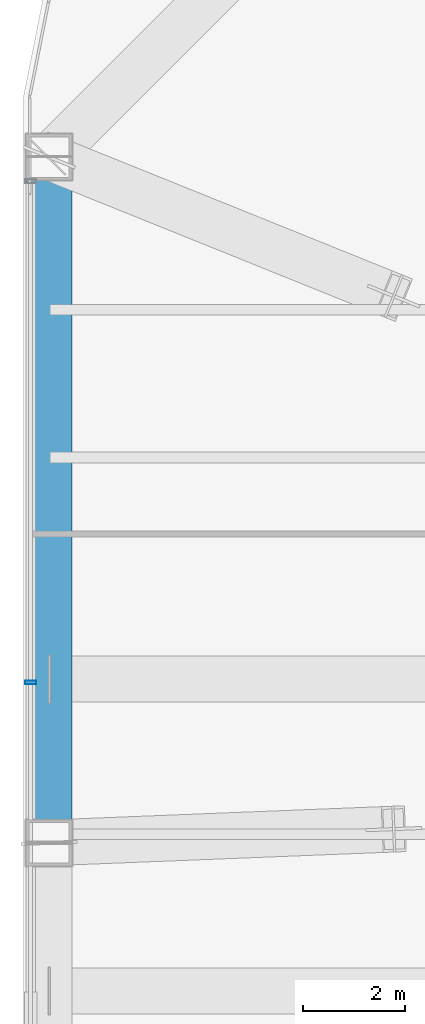
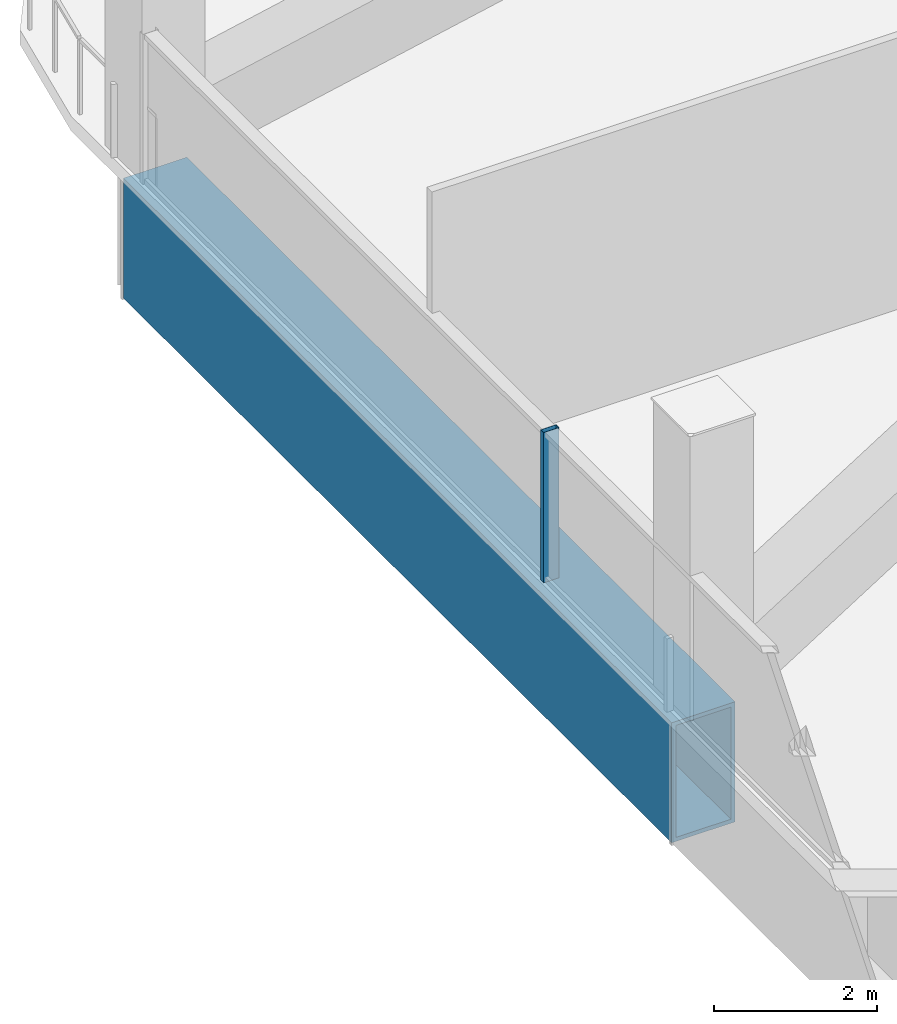
# One storey, part 16 of 38: 1 beam, 1 member, 1 element without a shape of its own.
"""IFC4 building model written with IfcOpenShell, lengths in metres."""

from ifc_helpers import new_model, si_unit, direction, frame, origin, origin_2d, place, context, subcontext, project, spatial, hollow_rectangle, extrude, material, layer, layer_set, material_profile, profile_set, type_object, element, aggregate, save


model = new_model("IFC4")

# Units and contexts
model_context = context("Model", 3, precision=1e-05, world=origin(), true_north=direction((0.0, 1.0)))
body_context = subcontext(model_context, "Body", "Model", "MODEL_VIEW")
ifc_project = project(units=[si_unit("LENGTHUNIT", "METRE"), si_unit("AREAUNIT", "SQUARE_METRE"), si_unit("VOLUMEUNIT", "CUBIC_METRE"), si_unit("PLANEANGLEUNIT", "RADIAN"), si_unit("MASSUNIT", "GRAM", prefix="KILO")], contexts=[model_context])

# Site, building, storey
site_placement = place(None, origin())
site = spatial("IfcSite", under=ifc_project, at=site_placement, CompositionType="ELEMENT")
building_placement = place(site_placement, origin())
building = spatial("IfcBuilding", under=site, at=building_placement, Name="Qhalaya Broadcast Tower", CompositionType="ELEMENT")
storey_placement = place(building_placement, frame((0.0, 0.0, 53.550048828125)))
storey = spatial("IfcBuildingStorey", under=building, at=storey_placement, Name="L15", CompositionType="ELEMENT", Elevation=53.550048828125)

# Beam
ifc_material_1 = material(Name="Structural Steel ASTM A572 Grade 50", Category="steel")
ifc_material_profile_1 = material_profile(ifc_material_1, hollow_rectangle(XDim=0.89990234375, YDim=1.800048828125, WallThickness=0.06005859375, at=origin_2d()), Name="BOX 900x1800x60")
ifc_profile_set_1 = profile_set([ifc_material_profile_1], Name="Structural Steel ASTM A572 Grade 50")
beam_type = type_object("IfcBeamType", Name="Block Cantilever Transfer Box Girder TG1", PredefinedType="USERDEFINED", material=ifc_profile_set_1)
beam_placement = place(storey_placement, frame((-25.89990234375, 20.199951171875, -1.1201171875), z_axis=(0.0, -1.0, 0.0), x_axis=(1.0, 0.0, 0.0)))
element("IfcBeam", 1, at=beam_placement, inside=storey, type_object=beam_type, Name="L15 TG1 L15-SPR-13", ObjectType="GIRDER", PredefinedType="USERDEFINED", context=body_context, shape_type="SweptSolid", body=[
    extrude(hollow_rectangle(XDim=0.89990234375, YDim=1.800048828125, WallThickness=0.06005859375, at=origin_2d()), origin(), (0.0, 0.0, 1.0), 13.466552734375),
])

# Curtain wall, member
ifc_material_2 = material(Name="Fired Architectural Terracotta", Category="masonry")
ifc_layer = layer(ifc_material_2, 0.219970703125, Name="Fired Architectural Terracotta")
ifc_layer_set = layer_set([ifc_layer], Name="Fired Architectural Terracotta")
curtain_wall_type = type_object("IfcCurtainWallType", Name="Block-Cap Unitised Terracotta Spandrel Wall CW-07", PredefinedType="NOTDEFINED", material=ifc_layer_set)
curtain_wall_placement = place(storey_placement, origin())
curtain_wall = element("IfcCurtainWall", 2, at=curtain_wall_placement, inside=storey, type_object=curtain_wall_type, Name="L15 Unitised Curtain Wall L15-CW-W", PredefinedType="NOTDEFINED")
ifc_material_3 = material(Name="Anodised Aluminium 6063-T6", Category="aluminium")
ifc_material_profile_2 = material_profile(ifc_material_3, hollow_rectangle(XDim=0.074951171875, YDim=0.219970703125, WallThickness=0.00390625, at=origin_2d()), Name="ALU-MUL 75x220x4")
ifc_profile_set_2 = profile_set([ifc_material_profile_2], Name="Anodised Aluminium 6063-T6")
member_type = type_object("IfcMemberType", Name="Unitised Curtain-Wall Mullion M01", PredefinedType="MULLION", material=ifc_profile_set_2)
member_placement = place(storey_placement, frame((-26.260009765625, 9.881103515625, 0.0), z_axis=(0.0, 0.0, 1.0), x_axis=(0.0, 1.0, 0.0)))
member = element("IfcMember", 3, at=member_placement, type_object=member_type, Name="CW-07 mullion 4", PredefinedType="MULLION", context=body_context, shape_type="SweptSolid", body=[
    extrude(hollow_rectangle(XDim=0.074951171875, YDim=0.219970703125, WallThickness=0.00390625, at=origin_2d()), origin(), (0.0, 0.0, 1.0), 2.25),
])
aggregate(curtain_wall, [member])

save(model, "model.ifc")
